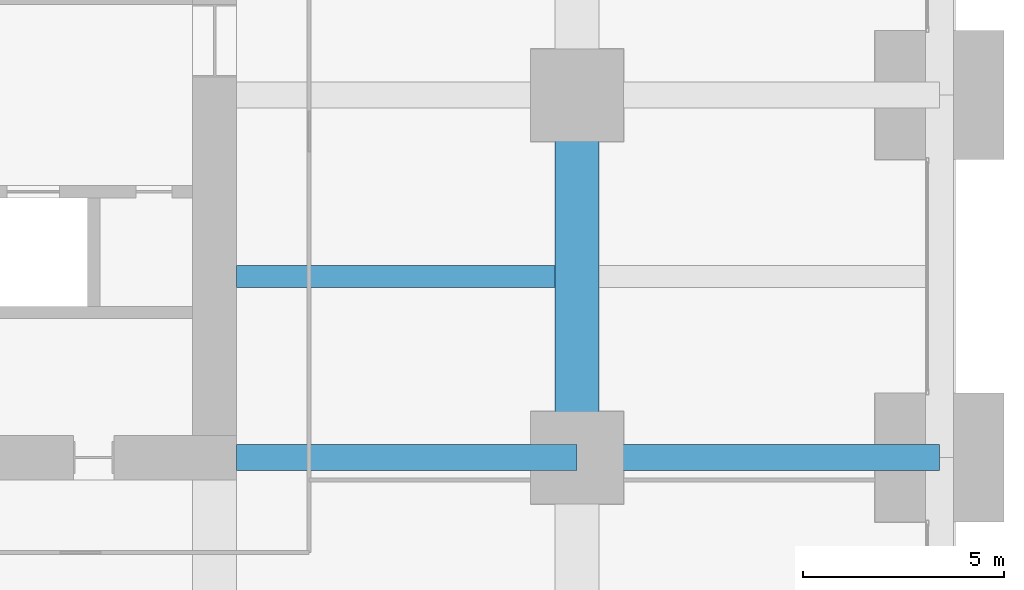
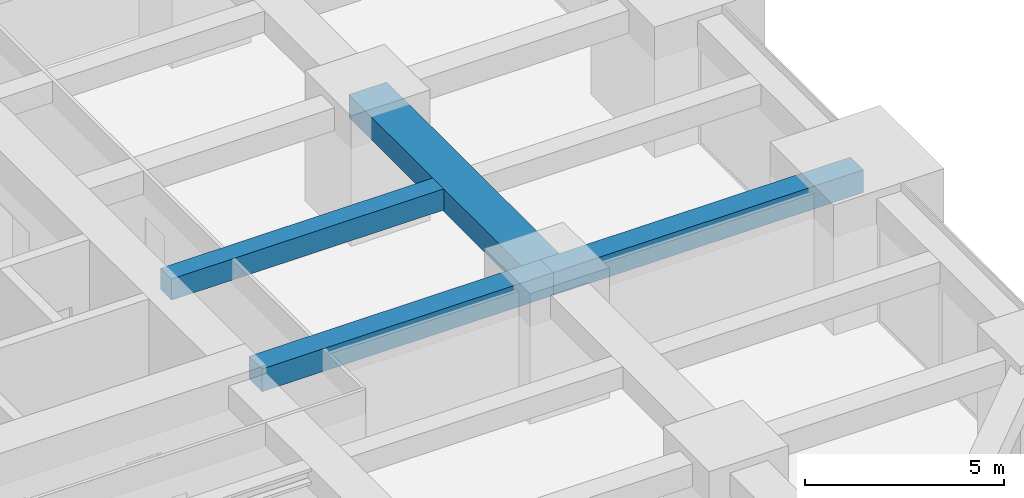
# One storey, part 20 of 50: 4 beams.
"""IFC4 building model written with IfcOpenShell, lengths in metres."""

from ifc_helpers import new_model, si_unit, direction, frame, origin, origin_2d, place, context, subcontext, project, spatial, rectangle, extrude, material, material_profile, profile_set, type_object, element, save


model = new_model("IFC4")

# Units and contexts
model_context = context("Model", 3, precision=1e-05, world=origin(), true_north=direction((0.0, 1.0)))
body_context = subcontext(model_context, "Body", "Model", "MODEL_VIEW")
ifc_project = project(units=[si_unit("LENGTHUNIT", "METRE"), si_unit("AREAUNIT", "SQUARE_METRE"), si_unit("VOLUMEUNIT", "CUBIC_METRE"), si_unit("PLANEANGLEUNIT", "RADIAN"), si_unit("MASSUNIT", "GRAM", prefix="KILO")], contexts=[model_context])

# Site, building, storey
site_placement = place(None, origin())
site = spatial("IfcSite", under=ifc_project, at=site_placement, CompositionType="ELEMENT")
building_placement = place(site_placement, origin())
building = spatial("IfcBuilding", under=site, at=building_placement, Name="Zorevar Civic Tower", CompositionType="ELEMENT")
storey_placement = place(building_placement, frame((0.0, 0.0, 85.0)))
storey = spatial("IfcBuildingStorey", under=building, at=storey_placement, Name="L20", CompositionType="ELEMENT", Elevation=85.0)

# Beams
ifc_material_1 = material(Name="Concrete C50/60", Category="concrete")
ifc_material_profile_1 = material_profile(ifc_material_1, rectangle(XDim=1.10009765625, YDim=0.699951171875, at=origin_2d()), Name="RC 1100x700")
ifc_profile_set_1 = profile_set([ifc_material_profile_1], Name="Concrete C50/60")
beam_type_1 = type_object("IfcBeamType", Name="Beam RC 1100x700", PredefinedType="BEAM", material=ifc_profile_set_1)
beam_1_placement = place(storey_placement, frame((54.0, 18.0, 3.39990234375), z_axis=(0.0, 1.0, 0.0), x_axis=(-1.0, 0.0, 0.0)))
element("IfcBeam", 1, at=beam_1_placement, inside=storey, type_object=beam_type_1, Name="Girder L21", PredefinedType="BEAM", context=body_context, shape_type="SweptSolid", body=[
    extrude(rectangle(XDim=1.10009765625, YDim=0.699951171875, at=origin_2d()), origin(), (0.0, 0.0, 1.0), 9.0),
])
ifc_material_2 = material(Name="Concrete C50/60", Category="concrete")
ifc_material_profile_2 = material_profile(ifc_material_2, rectangle(XDim=0.550048828125, YDim=0.64990234375, at=origin_2d()), Name="RC 550x650")
ifc_profile_set_2 = profile_set([ifc_material_profile_2], Name="Concrete C50/60")
beam_type_2 = type_object("IfcBeamType", Name="Beam RC 550x650", PredefinedType="BEAM", material=ifc_profile_set_2)
beam_2_placement = place(storey_placement, frame((45.550048828125, 22.5, 3.425048828125), z_axis=(1.0, 0.0, 0.0), x_axis=(0.0, 1.0, 0.0)))
element("IfcBeam", 2, at=beam_2_placement, inside=storey, type_object=beam_type_2, Name="Secondary beam L21", PredefinedType="BEAM", context=body_context, shape_type="SweptSolid", body=[
    extrude(rectangle(XDim=0.550048828125, YDim=0.64990234375, at=origin_2d()), origin(), (0.0, 0.0, 1.0), 7.89990234375),
])
ifc_material_3 = material(Name="Concrete C50/60", Category="concrete")
ifc_material_profile_3 = material_profile(ifc_material_3, rectangle(XDim=0.64990234375, YDim=0.699951171875, at=origin_2d()), Name="RC 650x700")
ifc_profile_set_3 = profile_set([ifc_material_profile_3], Name="Concrete C50/60")
beam_type_3 = type_object("IfcBeamType", Name="Beam RC 650x700", PredefinedType="BEAM", material=ifc_profile_set_3)
beam_3_placement = place(storey_placement, frame((45.550048828125, 18.0, 3.39990234375), z_axis=(1.0, 0.0, 0.0), x_axis=(0.0, 1.0, 0.0)))
element("IfcBeam", 3, at=beam_3_placement, inside=storey, type_object=beam_type_3, Name="Girder L21", PredefinedType="BEAM", context=body_context, shape_type="SweptSolid", body=[
    extrude(rectangle(XDim=0.64990234375, YDim=0.699951171875, at=origin_2d()), origin(), (0.0, 0.0, 1.0), 8.449951171875),
])
beam_4_placement = place(storey_placement, frame((54.0, 18.0, 3.39990234375), z_axis=(1.0, 0.0, 0.0), x_axis=(0.0, 1.0, 0.0)))
element("IfcBeam", 4, at=beam_4_placement, inside=storey, type_object=beam_type_3, Name="Girder L21", PredefinedType="BEAM", context=body_context, shape_type="SweptSolid", body=[
    extrude(rectangle(XDim=0.64990234375, YDim=0.699951171875, at=origin_2d()), origin(), (0.0, 0.0, 1.0), 9.0),
])

save(model, "model.ifc")
